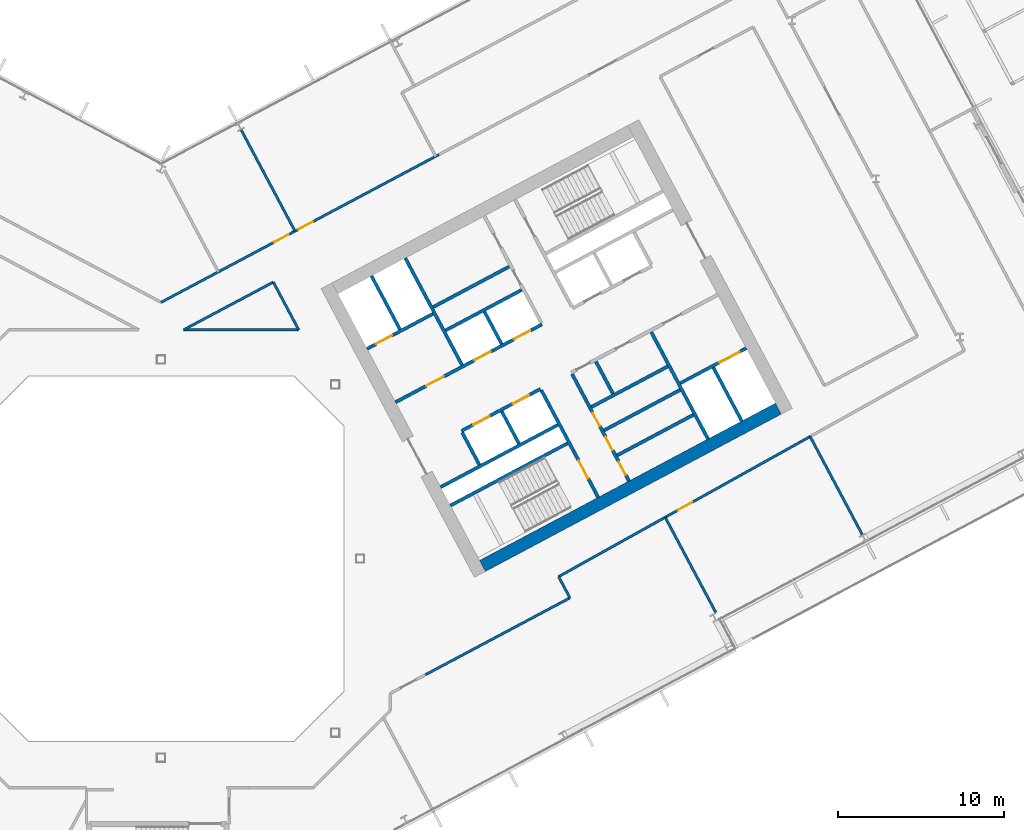
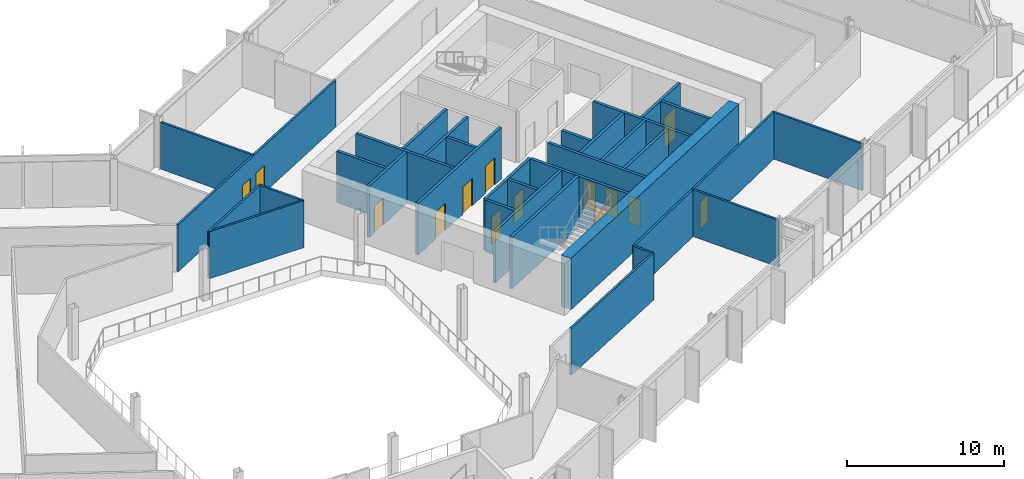
# One storey, part 20 of 34: 32 walls, 14 doors, 14 openings.
"""IFC4 building model written with IfcOpenShell, lengths in metres."""

from ifc_helpers import new_model, si_unit, direction, frame, frame_2d, origin, place, context, subcontext, project, spatial, rectangle, extrude, material, layer, layer_set, type_object, element, fill, save


model = new_model("IFC4")

# Units and contexts
model_context = context("Model", 3, precision=1e-05, world=origin(), true_north=direction((0.0, 1.0)))
body_context = subcontext(model_context, "Body", "Model", "MODEL_VIEW")
ifc_project = project(units=[si_unit("LENGTHUNIT", "METRE"), si_unit("AREAUNIT", "SQUARE_METRE"), si_unit("VOLUMEUNIT", "CUBIC_METRE"), si_unit("PLANEANGLEUNIT", "RADIAN"), si_unit("MASSUNIT", "GRAM", prefix="KILO")], contexts=[model_context])

# Site, building, storey
site_placement = place(None, origin())
site = spatial("IfcSite", under=ifc_project, at=site_placement, CompositionType="ELEMENT")
building_placement = place(site_placement, origin())
building = spatial("IfcBuilding", under=site, at=building_placement, Name="Cormorant Relay Tower", CompositionType="ELEMENT")
storey_placement = place(building_placement, frame((0.0, 0.0, 118.199951171875)))
storey = spatial("IfcBuildingStorey", under=building, at=storey_placement, Name="L23", CompositionType="ELEMENT", Elevation=118.199951171875)

# Walls
ifc_material_1 = material(Name="Concrete 40 MPa", Category="concrete")
ifc_layer_1 = layer(ifc_material_1, 0.199951171875)
ifc_layer_set_1 = layer_set([ifc_layer_1], Name="Core internal wall 200")
wall_type_1 = type_object("IfcWallType", Name="Core internal wall 200", PredefinedType="SOLIDWALL", material=ifc_layer_set_1)
for number, where, z_axis, x_axis, name in (
    (1, (21.567626953125, 6.9375, 0.0), (0.0, 0.0, 1.0), (-0.469533832133, 0.882914480843, 0.0), "L23 core B shaft and room wall"),
    (2, (20.522216796875, 12.950439453125, 0.0), (0.0, 0.0, 1.0), (-0.469401318492, 0.882984938828, 0.0), "L23 core B shaft and room wall"),
    (3, (27.236083984375, 9.951416015625, 0.0), (0.0, 0.0, 1.0), (-0.4694473164, 0.882960484464, 0.0), "L23 core B shaft and room wall"),
):
    element("IfcWall", number, at=place(storey_placement, frame(where, z_axis=z_axis, x_axis=x_axis)), inside=storey, type_object=wall_type_1, Name=name, PredefinedType="SOLIDWALL", context=body_context, shape_type="SweptSolid", body=[
        extrude(rectangle(XDim=2.199951171875, YDim=0.199951171875, at=frame_2d((1.10009765625, 0.0))), origin(), (0.0, 0.0, 1.0), 4.0),
    ])
for number, where, z_axis, x_axis, name in (
    (4, (27.490234375, 6.23583984375, 0.0), (0.0, 0.0, 1.0), (0.882953967957, 0.469459572775, 0.0), "L23 core B shaft and room wall"),
    (5, (26.692138671875, 7.73681640625, 0.0), (0.0, 0.0, 1.0), (0.882953967957, 0.469459572775, 0.0), "L23 core B shaft and room wall"),
    (6, (16.395751953125, 15.17333984375, 0.0), (0.0, 0.0, 1.0), (0.882934506056, 0.469496174655, 0.0), "L23 core B shaft and room wall"),
):
    element("IfcWall", number, at=place(storey_placement, frame(where, z_axis=z_axis, x_axis=x_axis)), inside=storey, type_object=wall_type_1, Name=name, PredefinedType="SOLIDWALL", context=body_context, shape_type="SweptSolid", body=[
        extrude(rectangle(XDim=5.199951171875, YDim=0.199951171875, at=frame_2d((2.60009765625, 0.0))), origin(), (0.0, 0.0, 1.0), 4.0),
    ])
ifc_material_2 = material(Name="Concrete 50 MPa", Category="concrete")
ifc_layer_2 = layer(ifc_material_2, 0.199951171875)
ifc_layer_set_2 = layer_set([ifc_layer_2], Name="Core shaft wall 200")
wall_type_2 = type_object("IfcWallType", Name="Core shaft wall 200", PredefinedType="SHEAR", material=ifc_layer_set_2)
wall_1_placement = place(storey_placement, frame((14.39404296875, 13.825927734375, 0.0), z_axis=(0.0, 0.0, 1.0), x_axis=(-0.469494272526, 0.882935517501, 0.0)))
element("IfcWall", 7, at=wall_1_placement, inside=storey, type_object=wall_type_2, Name="L23 core B shaft wall", PredefinedType="SHEAR", context=body_context, shape_type="SweptSolid", body=[
    extrude(rectangle(XDim=3.64990234375, YDim=0.199951171875, at=frame_2d((1.824951171875, 0.0))), origin(), (0.0, 0.0, 1.0), 4.0),
])
wall_2_placement = place(storey_placement, frame((19.18359375, 5.669921875, 0.0), z_axis=(0.0, 0.0, 1.0), x_axis=(-0.4694473164, 0.882960484464, 0.0)))
element("IfcWall", 8, at=wall_2_placement, inside=storey, type_object=wall_type_2, Name="L23 core B shaft wall", PredefinedType="SHEAR", context=body_context, shape_type="SweptSolid", body=[
    extrude(rectangle(XDim=2.199951171875, YDim=0.199951171875, at=frame_2d((1.10009765625, 0.0))), origin(), (0.0, 0.0, 1.0), 4.0),
])
wall_3_placement = place(storey_placement, frame((18.138427734375, 11.682861328125, 0.0), z_axis=(0.0, 0.0, 1.0), x_axis=(-0.469480409012, 0.88294288918, 0.0)))
element("IfcWall", 9, at=wall_3_placement, inside=storey, type_object=wall_type_2, Name="L23 core B shaft wall", PredefinedType="SHEAR", context=body_context, shape_type="SweptSolid", body=[
    extrude(rectangle(XDim=7.300048828125, YDim=0.199951171875, at=frame_2d((3.64990234375, 0.0))), origin(), (0.0, 0.0, 1.0), 4.0),
])

# Wall, opening, door
wall_4_placement = place(storey_placement, frame((26.345947265625, 3.701904296875, 0.0), z_axis=(0.0, 0.0, 1.0), x_axis=(-0.469480409012, 0.88294288918, 0.0)))
wall_4 = element("IfcWall", 10, at=wall_4_placement, inside=storey, type_object=wall_type_2, Name="L23 core B shaft wall", PredefinedType="SHEAR", context=body_context, shape_type="SweptSolid", body=[
    extrude(rectangle(XDim=7.300048828125, YDim=0.199951171875, at=frame_2d((3.64990234375, 0.0))), origin(), (0.0, 0.0, 1.0), 4.0),
])
opening_1_placement = place(wall_4_placement, frame((1.300048828125, 0.0, 0.0)))
opening_1 = element("IfcOpeningElement", 11, at=opening_1_placement, cuts=wall_4, Name="Opening CDB-036", PredefinedType="OPENING", context=body_context, shape_type="SweptSolid", body=[
    extrude(rectangle(XDim=1.199951171875, YDim=2.10009765625, at=frame_2d((0.60009765625, 1.050048828125))), frame((0.0, 0.10986328125, 0.0), z_axis=(0.0, -1.0, 0.0), x_axis=(1.0, 0.0, 0.0)), (0.0, 0.0, 1.0), 0.219970703125),
])
ifc_material_3 = material(Name="Steel fire door", Category="steel")
door_type_1 = type_object("IfcDoorType", Name="Core stair door 1200x2100", OperationType="SINGLE_SWING_LEFT", PredefinedType="DOOR", material=ifc_material_3)
door_1_placement = place(opening_1_placement, origin())
door_1 = element("IfcDoor", 12, at=door_1_placement, inside=storey, type_object=door_type_1, Name="Core stair door 1200x2100", OperationType="SINGLE_SWING_RIGHT", OverallHeight=2.10009765625, OverallWidth=1.199951171875, PredefinedType="DOOR", context=body_context, shape_type="SweptSolid", body=[
    extrude(rectangle(XDim=1.199951171875, YDim=2.10009765625, at=frame_2d((0.60009765625, 1.050048828125))), frame((0.0, 0.02490234375, 0.0), z_axis=(0.0, -1.0, 0.0), x_axis=(1.0, 0.0, 0.0)), (0.0, 0.0, 1.0), 0.050048828125),
])
fill(opening_1, door_1)

# Wall, openings, doors
wall_5_placement = place(storey_placement, frame((28.199951171875, 4.687744140625, 0.0), z_axis=(0.0, 0.0, 1.0), x_axis=(-0.469454336211, 0.882956752176, 0.0)))
wall_5 = element("IfcWall", 13, at=wall_5_placement, inside=storey, type_object=wall_type_2, Name="L23 core B shaft wall", PredefinedType="SHEAR", context=body_context, shape_type="SweptSolid", body=[
    extrude(rectangle(XDim=7.300048828125, YDim=0.199951171875, at=frame_2d((3.64990234375, 0.0))), origin(), (0.0, 0.0, 1.0), 4.0),
])
opening_2_placement = place(wall_5_placement, frame((0.39990234375, 0.0, 0.0)))
opening_2 = element("IfcOpeningElement", 14, at=opening_2_placement, cuts=wall_5, Name="Opening CDD-181", PredefinedType="OPENING", context=body_context, shape_type="SweptSolid", body=[
    extrude(rectangle(XDim=0.89990234375, YDim=2.10009765625, at=frame_2d((0.449951171875, 1.050048828125))), frame((0.0, 0.10986328125, 0.0), z_axis=(0.0, -1.0, 0.0), x_axis=(1.0, 0.0, 0.0)), (0.0, 0.0, 1.0), 0.219970703125),
])
opening_3_placement = place(wall_5_placement, frame((2.10009765625, 0.0, 0.0)))
opening_3 = element("IfcOpeningElement", 15, at=opening_3_placement, cuts=wall_5, Name="Opening CDD-182", PredefinedType="OPENING", context=body_context, shape_type="SweptSolid", body=[
    extrude(rectangle(XDim=0.89990234375, YDim=2.10009765625, at=frame_2d((0.449951171875, 1.050048828125))), frame((0.0, 0.10986328125, 0.0), z_axis=(0.0, -1.0, 0.0), x_axis=(1.0, 0.0, 0.0)), (0.0, 0.0, 1.0), 0.219970703125),
])
opening_4_placement = place(wall_5_placement, frame((3.75, 0.0, 0.0)))
opening_4 = element("IfcOpeningElement", 16, at=opening_4_placement, cuts=wall_5, Name="Opening CDD-183", PredefinedType="OPENING", context=body_context, shape_type="SweptSolid", body=[
    extrude(rectangle(XDim=0.89990234375, YDim=2.10009765625, at=frame_2d((0.449951171875, 1.050048828125))), frame((0.0, 0.10986328125, 0.0), z_axis=(0.0, -1.0, 0.0), x_axis=(1.0, 0.0, 0.0)), (0.0, 0.0, 1.0), 0.219970703125),
])
ifc_material_4 = material(Name="Steel fire door", Category="steel")
door_type_2 = type_object("IfcDoorType", Name="Core room door 900x2100", OperationType="SINGLE_SWING_LEFT", PredefinedType="DOOR", material=ifc_material_4)
door_2_placement = place(opening_2_placement, frame((0.89990234375, 0.0, 0.0), z_axis=(0.0, 0.0, 1.0), x_axis=(-1.0, 0.0, 0.0)))
door_2 = element("IfcDoor", 17, at=door_2_placement, inside=storey, type_object=door_type_2, Name="Core room door 900x2100", OperationType="SINGLE_SWING_LEFT", OverallHeight=2.10009765625, OverallWidth=0.89990234375, PredefinedType="DOOR", context=body_context, shape_type="SweptSolid", body=[
    extrude(rectangle(XDim=0.89990234375, YDim=2.10009765625, at=frame_2d((0.449951171875, 1.050048828125))), frame((0.0, 0.02490234375, 0.0), z_axis=(0.0, -1.0, 0.0), x_axis=(1.0, 0.0, 0.0)), (0.0, 0.0, 1.0), 0.050048828125),
])
fill(opening_2, door_2)
door_3_placement = place(opening_3_placement, frame((0.89990234375, 0.0, 0.0), z_axis=(0.0, 0.0, 1.0), x_axis=(-1.0, 0.0, 0.0)))
door_3 = element("IfcDoor", 18, at=door_3_placement, inside=storey, type_object=door_type_2, Name="Core room door 900x2100", OperationType="SINGLE_SWING_LEFT", OverallHeight=2.10009765625, OverallWidth=0.89990234375, PredefinedType="DOOR", context=body_context, shape_type="SweptSolid", body=[
    extrude(rectangle(XDim=0.89990234375, YDim=2.10009765625, at=frame_2d((0.449951171875, 1.050048828125))), frame((0.0, 0.02490234375, 0.0), z_axis=(0.0, -1.0, 0.0), x_axis=(1.0, 0.0, 0.0)), (0.0, 0.0, 1.0), 0.050048828125),
])
fill(opening_3, door_3)
door_4_placement = place(opening_4_placement, frame((0.89990234375, 0.0, 0.0), z_axis=(0.0, 0.0, 1.0), x_axis=(-1.0, 0.0, 0.0)))
door_4 = element("IfcDoor", 19, at=door_4_placement, inside=storey, type_object=door_type_2, Name="Core room door 900x2100", OperationType="SINGLE_SWING_LEFT", OverallHeight=2.10009765625, OverallWidth=0.89990234375, PredefinedType="DOOR", context=body_context, shape_type="SweptSolid", body=[
    extrude(rectangle(XDim=0.89990234375, YDim=2.10009765625, at=frame_2d((0.449951171875, 1.050048828125))), frame((0.0, 0.02490234375, 0.0), z_axis=(0.0, -1.0, 0.0), x_axis=(1.0, 0.0, 0.0)), (0.0, 0.0, 1.0), 0.050048828125),
])
fill(opening_4, door_4)

# Walls
wall_6_placement = place(storey_placement, frame((32.968017578125, 7.222900390625, 0.0), z_axis=(0.0, 0.0, 1.0), x_axis=(-0.469480409012, 0.88294288918, 0.0)))
element("IfcWall", 20, at=wall_6_placement, inside=storey, type_object=wall_type_2, Name="L23 core B shaft wall", PredefinedType="SHEAR", context=body_context, shape_type="SweptSolid", body=[
    extrude(rectangle(XDim=7.300048828125, YDim=0.199951171875, at=frame_2d((3.64990234375, 0.0))), origin(), (0.0, 0.0, 1.0), 4.0),
])
wall_7_placement = place(storey_placement, frame((34.998779296875, 8.302734375, 0.0), z_axis=(0.0, 0.0, 1.0), x_axis=(-0.4694665462, 0.882950260207, 0.0)))
element("IfcWall", 21, at=wall_7_placement, inside=storey, type_object=wall_type_2, Name="L23 core B shaft wall", PredefinedType="SHEAR", context=body_context, shape_type="SweptSolid", body=[
    extrude(rectangle(XDim=3.650146484375, YDim=0.199951171875, at=frame_2d((1.8251953125, 0.0))), origin(), (0.0, 0.0, 1.0), 4.0),
])
wall_8_placement = place(storey_placement, frame((17.43359375, 3.210205078125, 0.0), z_axis=(0.0, 0.0, 1.0), x_axis=(0.882940221191, 0.469485426614, 0.0)))
element("IfcWall", 22, at=wall_8_placement, inside=storey, type_object=wall_type_2, Name="L23 core B shaft wall", PredefinedType="SHEAR", context=body_context, shape_type="SweptSolid", body=[
    extrude(rectangle(XDim=8.0, YDim=0.199951171875, at=frame_2d((4.0, 0.0))), origin(), (0.0, 0.0, 1.0), 4.0),
])

# Wall, opening, door
wall_9_placement = place(storey_placement, frame((31.295654296875, 10.5810546875, 0.0), z_axis=(0.0, 0.0, 1.0), x_axis=(0.882960433586, 0.469447412093, 0.0)))
wall_9 = element("IfcWall", 23, at=wall_9_placement, inside=storey, type_object=wall_type_2, Name="L23 core B shaft wall", PredefinedType="SHEAR", context=body_context, shape_type="SweptSolid", body=[
    extrude(rectangle(XDim=4.5, YDim=0.199951171875, at=frame_2d((2.25, 0.0))), origin(), (0.0, 0.0, 1.0), 4.0),
])
opening_5_placement = place(wall_9_placement, frame((2.64990234375, 0.0, 0.0)))
opening_5 = element("IfcOpeningElement", 24, at=opening_5_placement, cuts=wall_9, Name="Opening LD3-014", PredefinedType="OPENING", context=body_context, shape_type="SweptSolid", body=[
    extrude(rectangle(XDim=1.39990234375, YDim=2.39990234375, at=frame_2d((0.699951171875, 1.199951171875))), frame((0.0, 0.10986328125, 0.0), z_axis=(0.0, -1.0, 0.0), x_axis=(1.0, 0.0, 0.0)), (0.0, 0.0, 1.0), 0.219970703125),
])
ifc_material_5 = material(Name="Stainless steel 316", Category="steel")
door_type_3 = type_object("IfcDoorType", Name="Lift landing door 1400x2400", OperationType="DOUBLE_DOOR_SLIDING", PredefinedType="DOOR", material=ifc_material_5)
door_5_placement = place(opening_5_placement, origin())
door_5 = element("IfcDoor", 25, at=door_5_placement, inside=storey, type_object=door_type_3, Name="SV2 landing door", OperationType="DOUBLE_DOOR_SLIDING", OverallHeight=2.39990234375, OverallWidth=1.39990234375, PredefinedType="DOOR", context=body_context, shape_type="SweptSolid", body=[
    extrude(rectangle(XDim=1.39990234375, YDim=2.39990234375, at=frame_2d((0.699951171875, 1.199951171875))), frame((0.0, 0.02490234375, 0.0), z_axis=(0.0, -1.0, 0.0), x_axis=(1.0, 0.0, 0.0)), (0.0, 0.0, 1.0), 0.050048828125),
])
fill(opening_5, door_5)

# Walls
wall_10_placement = place(storey_placement, frame((16.8466796875, 4.31396484375, 0.0), z_axis=(0.0, 0.0, 1.0), x_axis=(0.882940221191, 0.469485426614, 0.0)))
element("IfcWall", 26, at=wall_10_placement, inside=storey, type_object=wall_type_2, Name="L23 core B shaft wall", PredefinedType="SHEAR", context=body_context, shape_type="SweptSolid", body=[
    extrude(rectangle(XDim=8.0, YDim=0.199951171875, at=frame_2d((4.0, 0.0))), origin(), (0.0, 0.0, 1.0), 4.0),
])
wall_11_placement = place(storey_placement, frame((25.94091796875, 9.149658203125, 0.0), z_axis=(0.0, 0.0, 1.0), x_axis=(0.882953967957, 0.469459572775, 0.0)))
element("IfcWall", 27, at=wall_11_placement, inside=storey, type_object=wall_type_2, Name="L23 core B shaft wall", PredefinedType="SHEAR", context=body_context, shape_type="SweptSolid", body=[
    extrude(rectangle(XDim=5.199951171875, YDim=0.199951171875, at=frame_2d((2.60009765625, 0.0))), origin(), (0.0, 0.0, 1.0), 4.0),
])

# Wall, openings, doors
wall_12_placement = place(storey_placement, frame((18.103759765625, 7.70068359375, 0.0), z_axis=(0.0, 0.0, 1.0), x_axis=(0.882952937579, 0.469461510692, 0.0)))
wall_12 = element("IfcWall", 28, at=wall_12_placement, inside=storey, type_object=wall_type_2, Name="L23 core B shaft wall", PredefinedType="SHEAR", context=body_context, shape_type="SweptSolid", body=[
    extrude(rectangle(XDim=5.400146484375, YDim=0.199951171875, at=frame_2d((2.7001953125, 0.0))), origin(), (0.0, 0.0, 1.0), 4.0),
])
opening_6_placement = place(wall_12_placement, frame((0.800048828125, 0.0, 0.0)))
opening_6 = element("IfcOpeningElement", 29, at=opening_6_placement, cuts=wall_12, Name="Opening LD1-048", PredefinedType="OPENING", context=body_context, shape_type="SweptSolid", body=[
    extrude(rectangle(XDim=1.10009765625, YDim=2.10009765625, at=frame_2d((0.550048828125, 1.050048828125))), frame((0.0, 0.10986328125, 0.0), z_axis=(0.0, -1.0, 0.0), x_axis=(1.0, 0.0, 0.0)), (0.0, 0.0, 1.0), 0.219970703125),
])
opening_7_placement = place(wall_12_placement, frame((3.5, 0.0, 0.0)))
opening_7 = element("IfcOpeningElement", 30, at=opening_7_placement, cuts=wall_12, Name="Opening LD1-049", PredefinedType="OPENING", context=body_context, shape_type="SweptSolid", body=[
    extrude(rectangle(XDim=1.10009765625, YDim=2.10009765625, at=frame_2d((0.550048828125, 1.050048828125))), frame((0.0, 0.10986328125, 0.0), z_axis=(0.0, -1.0, 0.0), x_axis=(1.0, 0.0, 0.0)), (0.0, 0.0, 1.0), 0.219970703125),
])
ifc_material_6 = material(Name="Stainless steel 316", Category="steel")
door_type_4 = type_object("IfcDoorType", Name="Lift landing door 1100x2100", OperationType="DOUBLE_DOOR_SLIDING", PredefinedType="DOOR", material=ifc_material_6)
door_6_placement = place(opening_6_placement, origin())
door_6 = element("IfcDoor", 31, at=door_6_placement, inside=storey, type_object=door_type_4, Name="LR5 landing door", OperationType="DOUBLE_DOOR_SLIDING", OverallHeight=2.10009765625, OverallWidth=1.10009765625, PredefinedType="DOOR", context=body_context, shape_type="SweptSolid", body=[
    extrude(rectangle(XDim=1.10009765625, YDim=2.10009765625, at=frame_2d((0.550048828125, 1.050048828125))), frame((0.0, 0.02490234375, 0.0), z_axis=(0.0, -1.0, 0.0), x_axis=(1.0, 0.0, 0.0)), (0.0, 0.0, 1.0), 0.050048828125),
])
fill(opening_6, door_6)
door_7_placement = place(opening_7_placement, origin())
door_7 = element("IfcDoor", 32, at=door_7_placement, inside=storey, type_object=door_type_4, Name="LR6 landing door", OperationType="DOUBLE_DOOR_SLIDING", OverallHeight=2.10009765625, OverallWidth=1.10009765625, PredefinedType="DOOR", context=body_context, shape_type="SweptSolid", body=[
    extrude(rectangle(XDim=1.10009765625, YDim=2.10009765625, at=frame_2d((0.550048828125, 1.050048828125))), frame((0.0, 0.02490234375, 0.0), z_axis=(0.0, -1.0, 0.0), x_axis=(1.0, 0.0, 0.0)), (0.0, 0.0, 1.0), 0.050048828125),
])
fill(opening_7, door_7)

wall_13_placement = place(storey_placement, frame((14.123779296875, 9.43505859375, 0.0), z_axis=(0.0, 0.0, 1.0), x_axis=(0.882940221191, 0.469485426614, 0.0)))
wall_13 = element("IfcWall", 33, at=wall_13_placement, inside=storey, type_object=wall_type_2, Name="L23 core B shaft wall", PredefinedType="SHEAR", context=body_context, shape_type="SweptSolid", body=[
    extrude(rectangle(XDim=10.0, YDim=0.199951171875, at=frame_2d((5.0, 0.0))), origin(), (0.0, 0.0, 1.0), 4.0),
])
opening_8_placement = place(wall_13_placement, frame((2.10009765625, 0.0, 0.0)))
opening_8 = element("IfcOpeningElement", 34, at=opening_8_placement, cuts=wall_13, Name="Opening CDC-027", PredefinedType="OPENING", context=body_context, shape_type="SweptSolid", body=[
    extrude(rectangle(XDim=1.199951171875, YDim=2.10009765625, at=frame_2d((0.60009765625, 1.050048828125))), frame((0.0, 0.10986328125, 0.0), z_axis=(0.0, -1.0, 0.0), x_axis=(1.0, 0.0, 0.0)), (0.0, 0.0, 1.0), 0.219970703125),
])
opening_9_placement = place(wall_13_placement, frame((5.39990234375, 0.0, 0.0)))
opening_9 = element("IfcOpeningElement", 35, at=opening_9_placement, cuts=wall_13, Name="Opening LD1-044", PredefinedType="OPENING", context=body_context, shape_type="SweptSolid", body=[
    extrude(rectangle(XDim=1.10009765625, YDim=2.10009765625, at=frame_2d((0.550048828125, 1.050048828125))), frame((0.0, 0.10986328125, 0.0), z_axis=(0.0, -1.0, 0.0), x_axis=(1.0, 0.0, 0.0)), (0.0, 0.0, 1.0), 0.219970703125),
])
opening_10_placement = place(wall_13_placement, frame((8.10009765625, 0.0, 0.0)))
opening_10 = element("IfcOpeningElement", 36, at=opening_10_placement, cuts=wall_13, Name="Opening LD1-045", PredefinedType="OPENING", context=body_context, shape_type="SweptSolid", body=[
    extrude(rectangle(XDim=1.10009765625, YDim=2.10009765625, at=frame_2d((0.550048828125, 1.050048828125))), frame((0.0, 0.10986328125, 0.0), z_axis=(0.0, -1.0, 0.0), x_axis=(1.0, 0.0, 0.0)), (0.0, 0.0, 1.0), 0.219970703125),
])
ifc_material_7 = material(Name="Steel fire door", Category="steel")
door_type_5 = type_object("IfcDoorType", Name="Core lobby door 1200x2100", OperationType="SINGLE_SWING_LEFT", PredefinedType="DOOR", material=ifc_material_7)
door_8_placement = place(opening_8_placement, origin())
door_8 = element("IfcDoor", 37, at=door_8_placement, inside=storey, type_object=door_type_5, Name="Core lobby door 1200x2100", OperationType="SINGLE_SWING_RIGHT", OverallHeight=2.10009765625, OverallWidth=1.199951171875, PredefinedType="DOOR", context=body_context, shape_type="SweptSolid", body=[
    extrude(rectangle(XDim=1.199951171875, YDim=2.10009765625, at=frame_2d((0.60009765625, 1.050048828125))), frame((0.0, 0.02490234375, 0.0), z_axis=(0.0, -1.0, 0.0), x_axis=(1.0, 0.0, 0.0)), (0.0, 0.0, 1.0), 0.050048828125),
])
fill(opening_8, door_8)
door_9_placement = place(opening_9_placement, origin())
door_9 = element("IfcDoor", 38, at=door_9_placement, inside=storey, type_object=door_type_4, Name="LR1 landing door", OperationType="DOUBLE_DOOR_SLIDING", OverallHeight=2.10009765625, OverallWidth=1.10009765625, PredefinedType="DOOR", context=body_context, shape_type="SweptSolid", body=[
    extrude(rectangle(XDim=1.10009765625, YDim=2.10009765625, at=frame_2d((0.550048828125, 1.050048828125))), frame((0.0, 0.02490234375, 0.0), z_axis=(0.0, -1.0, 0.0), x_axis=(1.0, 0.0, 0.0)), (0.0, 0.0, 1.0), 0.050048828125),
])
fill(opening_9, door_9)
door_10_placement = place(opening_10_placement, origin())
door_10 = element("IfcDoor", 39, at=door_10_placement, inside=storey, type_object=door_type_4, Name="LR2 landing door", OperationType="DOUBLE_DOOR_SLIDING", OverallHeight=2.10009765625, OverallWidth=1.10009765625, PredefinedType="DOOR", context=body_context, shape_type="SweptSolid", body=[
    extrude(rectangle(XDim=1.10009765625, YDim=2.10009765625, at=frame_2d((0.550048828125, 1.050048828125))), frame((0.0, 0.02490234375, 0.0), z_axis=(0.0, -1.0, 0.0), x_axis=(1.0, 0.0, 0.0)), (0.0, 0.0, 1.0), 0.050048828125),
])
fill(opening_10, door_10)

# Wall
wall_14_placement = place(storey_placement, frame((17.146728515625, 13.7607421875, 0.0), z_axis=(0.0, 0.0, 1.0), x_axis=(0.882964314875, 0.469440111896, 0.0)))
element("IfcWall", 40, at=wall_14_placement, inside=storey, type_object=wall_type_2, Name="L23 core B shaft wall", PredefinedType="SHEAR", context=body_context, shape_type="SweptSolid", body=[
    extrude(rectangle(XDim=5.2001953125, YDim=0.199951171875, at=frame_2d((2.60009765625, 0.0))), origin(), (0.0, 0.0, 1.0), 4.0),
])

# Wall, opening, door
wall_15_placement = place(storey_placement, frame((12.41015625, 12.657958984375, 0.0), z_axis=(0.0, 0.0, 1.0), x_axis=(0.8829484765, 0.469469900894, 0.0)))
wall_15 = element("IfcWall", 41, at=wall_15_placement, inside=storey, type_object=wall_type_2, Name="L23 core B shaft wall", PredefinedType="SHEAR", context=body_context, shape_type="SweptSolid", body=[
    extrude(rectangle(XDim=4.499755859375, YDim=0.199951171875, at=frame_2d((2.25, 0.0))), origin(), (0.0, 0.0, 1.0), 4.0),
])
opening_11_placement = place(wall_15_placement, frame((0.60009765625, 0.0, 0.0)))
opening_11 = element("IfcOpeningElement", 42, at=opening_11_placement, cuts=wall_15, Name="Opening LD1-050", PredefinedType="OPENING", context=body_context, shape_type="SweptSolid", body=[
    extrude(rectangle(XDim=1.10009765625, YDim=2.10009765625, at=frame_2d((0.550048828125, 1.050048828125))), frame((0.0, 0.10986328125, 0.0), z_axis=(0.0, -1.0, 0.0), x_axis=(1.0, 0.0, 0.0)), (0.0, 0.0, 1.0), 0.219970703125),
])
door_11_placement = place(opening_11_placement, origin())
door_11 = element("IfcDoor", 43, at=door_11_placement, inside=storey, type_object=door_type_4, Name="FF2 landing door", OperationType="DOUBLE_DOOR_SLIDING", OverallHeight=2.10009765625, OverallWidth=1.10009765625, PredefinedType="DOOR", context=body_context, shape_type="SweptSolid", body=[
    extrude(rectangle(XDim=1.10009765625, YDim=2.10009765625, at=frame_2d((0.550048828125, 1.050048828125))), frame((0.0, 0.02490234375, 0.0), z_axis=(0.0, -1.0, 0.0), x_axis=(1.0, 0.0, 0.0)), (0.0, 0.0, 1.0), 0.050048828125),
])
fill(opening_11, door_11)

# Wall
ifc_material_8 = material(Name="Concrete 60 MPa", Category="concrete")
ifc_layer_3 = layer(ifc_material_8, 0.75)
ifc_layer_set_3 = layer_set([ifc_layer_3], Name="Core wall 750")
wall_type_3 = type_object("IfcWallType", Name="Core wall 750", PredefinedType="SHEAR", material=ifc_layer_set_3)
wall_16_placement = place(storey_placement, frame((19.3701171875, -0.431884765625, 0.0), z_axis=(0.0, 0.0, 1.0), x_axis=(0.88294509198, 0.469476266226, 0.0)))
element("IfcWall", 44, at=wall_16_placement, inside=storey, type_object=wall_type_3, Name="L23 core B wall", PredefinedType="SHEAR", context=body_context, shape_type="SweptSolid", body=[
    extrude(rectangle(XDim=20.199951171875, YDim=0.75, at=frame_2d((10.10009765625, 0.0))), origin(), (0.0, 0.0, 1.0), 4.0),
])

# Wall, openings, doors
ifc_material_9 = material(Name="Gypsum board fire partition")
ifc_layer_4 = layer(ifc_material_9, 0.14990234375)
ifc_layer_set_4 = layer_set([ifc_layer_4], Name="Corridor partition 150 EI 60")
wall_type_4 = type_object("IfcWallType", Name="Corridor partition 150 EI 60", PredefinedType="PARTITIONING", material=ifc_layer_set_4)
wall_17_placement = place(storey_placement, frame((0.0, 15.4599609375, 0.0), z_axis=(0.0, 0.0, 1.0), x_axis=(0.882952116052, 0.469463055798, 0.0)))
wall_17 = element("IfcWall", 45, at=wall_17_placement, inside=storey, type_object=wall_type_4, Name="wall/L23/part/034", PredefinedType="PARTITIONING", context=body_context, shape_type="SweptSolid", body=[
    extrude(rectangle(XDim=18.960205078125, YDim=0.14990234375, at=frame_2d((9.47998046875, 0.0))), origin(), (0.0, 0.0, 1.0), 3.64013671875),
])
opening_12_placement = place(wall_17_placement, frame((9.35009765625, 0.0, 0.0)))
opening_12 = element("IfcOpeningElement", 46, at=opening_12_placement, cuts=wall_17, Name="Opening DS-005", PredefinedType="OPENING", context=body_context, shape_type="SweptSolid", body=[
    extrude(rectangle(XDim=1.0, YDim=2.10009765625, at=frame_2d((0.5, 1.050048828125))), frame((0.0, 0.0849609375, 0.0), z_axis=(0.0, -1.0, 0.0), x_axis=(1.0, 0.0, 0.0)), (0.0, 0.0, 1.0), 0.169921875),
])
opening_13_placement = place(wall_17_placement, frame((7.699951171875, 0.0, 0.0)))
opening_13 = element("IfcOpeningElement", 47, at=opening_13_placement, cuts=wall_17, Name="Opening DS-006", PredefinedType="OPENING", context=body_context, shape_type="SweptSolid", body=[
    extrude(rectangle(XDim=1.0, YDim=2.10009765625, at=frame_2d((0.5, 1.050048828125))), frame((0.0, 0.0849609375, 0.0), z_axis=(0.0, -1.0, 0.0), x_axis=(1.0, 0.0, 0.0)), (0.0, 0.0, 1.0), 0.169921875),
])
ifc_material_10 = material(Name="Timber door leaf", Category="wood")
door_type_6 = type_object("IfcDoorType", Name="Suite door 1000x2100", OperationType="SINGLE_SWING_LEFT", PredefinedType="DOOR", material=ifc_material_10)
door_12_placement = place(opening_12_placement, origin())
door_12 = element("IfcDoor", 48, at=door_12_placement, inside=storey, type_object=door_type_6, Name="door/L23/008", OperationType="SINGLE_SWING_LEFT", OverallHeight=2.10009765625, OverallWidth=1.0, PredefinedType="DOOR", context=body_context, shape_type="SweptSolid", body=[
    extrude(rectangle(XDim=1.0, YDim=2.10009765625, at=frame_2d((0.5, 1.050048828125))), frame((0.0, 0.02490234375, 0.0), z_axis=(0.0, -1.0, 0.0), x_axis=(1.0, 0.0, 0.0)), (0.0, 0.0, 1.0), 0.050048828125),
])
fill(opening_12, door_12)
door_13_placement = place(opening_13_placement, origin())
door_13 = element("IfcDoor", 49, at=door_13_placement, inside=storey, type_object=door_type_6, Name="door/L23/009", OperationType="SINGLE_SWING_RIGHT", OverallHeight=2.10009765625, OverallWidth=1.0, PredefinedType="DOOR", context=body_context, shape_type="SweptSolid", body=[
    extrude(rectangle(XDim=1.0, YDim=2.10009765625, at=frame_2d((0.5, 1.050048828125))), frame((0.0, 0.02490234375, 0.0), z_axis=(0.0, -1.0, 0.0), x_axis=(1.0, 0.0, 0.0)), (0.0, 0.0, 1.0), 0.050048828125),
])
fill(opening_13, door_13)

# Walls
wall_18_placement = place(storey_placement, frame((23.9609375, -1.0791015625, 0.0), z_axis=(0.0, 0.0, 1.0), x_axis=(0.469590610022, -0.882884284025, 0.0)))
element("IfcWall", 50, at=wall_18_placement, inside=storey, type_object=wall_type_4, Name="wall/L23/part/059", PredefinedType="PARTITIONING", context=body_context, shape_type="SweptSolid", body=[
    extrude(rectangle(XDim=1.448486328125, YDim=0.14990234375, at=frame_2d((0.72412109375, 0.0))), origin(), (0.0, 0.0, 1.0), 3.64013671875),
])
wall_19_placement = place(storey_placement, frame((24.64111328125, -2.35791015625, 0.0), z_axis=(0.0, 0.0, 1.0), x_axis=(-0.882939162052, -0.469487418484, 0.0)))
element("IfcWall", 51, at=wall_19_placement, inside=storey, type_object=wall_type_4, Name="wall/L23/part/060", PredefinedType="PARTITIONING", context=body_context, shape_type="SweptSolid", body=[
    extrude(rectangle(XDim=9.868408203125, YDim=0.14990234375, at=frame_2d((4.93408203125, 0.0))), origin(), (0.0, 0.0, 1.0), 3.64013671875),
])

# Wall, opening, door
wall_20_placement = place(storey_placement, frame((39.136962890625, 7.3779296875, 0.0), z_axis=(0.0, 0.0, 1.0), x_axis=(-0.873590594154, -0.486661559819, 0.0)))
wall_20 = element("IfcWall", 52, at=wall_20_placement, inside=storey, type_object=wall_type_4, Name="wall/L23/part/064", PredefinedType="PARTITIONING", context=body_context, shape_type="SweptSolid", body=[
    extrude(rectangle(XDim=17.373046875, YDim=0.14990234375, at=frame_2d((8.6865234375, 0.0))), origin(), (0.0, 0.0, 1.0), 3.64013671875),
])
opening_14_placement = place(wall_20_placement, frame((8.15087890625, 0.0, 0.0)))
opening_14 = element("IfcOpeningElement", 53, at=opening_14_placement, cuts=wall_20, Name="Opening DS-004", PredefinedType="OPENING", context=body_context, shape_type="SweptSolid", body=[
    extrude(rectangle(XDim=1.0, YDim=2.10009765625, at=frame_2d((0.5, 1.050048828125))), frame((0.0, 0.0849609375, 0.0), z_axis=(0.0, -1.0, 0.0), x_axis=(1.0, 0.0, 0.0)), (0.0, 0.0, 1.0), 0.169921875),
])
door_14_placement = place(opening_14_placement, origin())
door_14 = element("IfcDoor", 54, at=door_14_placement, inside=storey, type_object=door_type_6, Name="door/L23/005", OperationType="SINGLE_SWING_RIGHT", OverallHeight=2.10009765625, OverallWidth=1.0, PredefinedType="DOOR", context=body_context, shape_type="SweptSolid", body=[
    extrude(rectangle(XDim=1.0, YDim=2.10009765625, at=frame_2d((0.5, 1.050048828125))), frame((0.0, 0.02490234375, 0.0), z_axis=(0.0, -1.0, 0.0), x_axis=(1.0, 0.0, 0.0)), (0.0, 0.0, 1.0), 0.050048828125),
])
fill(opening_14, door_14)

# Walls
wall_21_placement = place(storey_placement, frame((1.35205078125, 13.800048828125, 0.0), z_axis=(0.0, 0.0, 1.0), x_axis=(1.0, 0.0, 0.0)))
element("IfcWall", 55, at=wall_21_placement, inside=storey, type_object=wall_type_4, Name="wall/L23/part/080", PredefinedType="PARTITIONING", context=body_context, shape_type="SweptSolid", body=[
    extrude(rectangle(XDim=6.93994140625, YDim=0.14990234375, at=frame_2d((3.469970703125, 0.0))), origin(), (0.0, 0.0, 1.0), 3.64013671875),
])
wall_22_placement = place(storey_placement, frame((8.2919921875, 13.800048828125, 0.0), z_axis=(0.0, 0.0, 1.0), x_axis=(-0.469549600855, 0.882906094858, 0.0)))
element("IfcWall", 56, at=wall_22_placement, inside=storey, type_object=wall_type_4, Name="wall/L23/part/081", PredefinedType="PARTITIONING", context=body_context, shape_type="SweptSolid", body=[
    extrude(rectangle(XDim=3.258544921875, YDim=0.14990234375, at=frame_2d((1.62939453125, 0.0))), origin(), (0.0, 0.0, 1.0), 3.64013671875),
])
wall_23_placement = place(storey_placement, frame((6.761962890625, 16.677001953125, 0.0), z_axis=(0.0, 0.0, 1.0), x_axis=(-0.882917024124, -0.469529049699, 0.0)))
element("IfcWall", 57, at=wall_23_placement, inside=storey, type_object=wall_type_4, Name="wall/L23/part/082", PredefinedType="PARTITIONING", context=body_context, shape_type="SweptSolid", body=[
    extrude(rectangle(XDim=6.127197265625, YDim=0.14990234375, at=frame_2d((3.0634765625, 0.0))), origin(), (0.0, 0.0, 1.0), 3.64013671875),
])
ifc_material_11 = material(Name="Gypsum board partition")
ifc_layer_5 = layer(ifc_material_11, 0.14990234375)
ifc_layer_set_5 = layer_set([ifc_layer_5], Name="Tenant partition 150")
wall_type_5 = type_object("IfcWallType", Name="Tenant partition 150", PredefinedType="PARTITIONING", material=ifc_layer_set_5)
wall_24_placement = place(storey_placement, frame((4.822021484375, 25.85302734375, 0.0), z_axis=(0.0, 0.0, 1.0), x_axis=(0.46953215053, -0.882915375117, 0.0)))
element("IfcWall", 58, at=wall_24_placement, inside=storey, type_object=wall_type_5, Name="wall/L23/part/044", PredefinedType="PARTITIONING", context=body_context, shape_type="SweptSolid", body=[
    extrude(rectangle(XDim=6.91357421875, YDim=0.14990234375, at=frame_2d((3.456787109375, 0.0))), origin(), (0.0, 0.0, 1.0), 3.64013671875),
])
wall_25_placement = place(storey_placement, frame((30.383056640625, 2.5009765625, 0.0), z_axis=(0.0, 0.0, 1.0), x_axis=(0.469417215036, -0.882976487925, 0.0)))
element("IfcWall", 59, at=wall_25_placement, inside=storey, type_object=wall_type_5, Name="wall/L23/part/063", PredefinedType="PARTITIONING", context=body_context, shape_type="SweptSolid", body=[
    extrude(rectangle(XDim=6.494873046875, YDim=0.14990234375, at=frame_2d((3.24755859375, 0.0))), origin(), (0.0, 0.0, 1.0), 3.64013671875),
])
wall_26_placement = place(storey_placement, frame((39.1201171875, 7.368896484375, 0.0), z_axis=(0.0, 0.0, 1.0), x_axis=(0.469275929095, -0.88305158534, 0.0)))
element("IfcWall", 60, at=wall_26_placement, inside=storey, type_object=wall_type_5, Name="wall/L23/part/065", PredefinedType="PARTITIONING", context=body_context, shape_type="SweptSolid", body=[
    extrude(rectangle(XDim=6.703857421875, YDim=0.14990234375, at=frame_2d((3.35205078125, 0.0))), origin(), (0.0, 0.0, 1.0), 3.64013671875),
])

save(model, "model.ifc")
